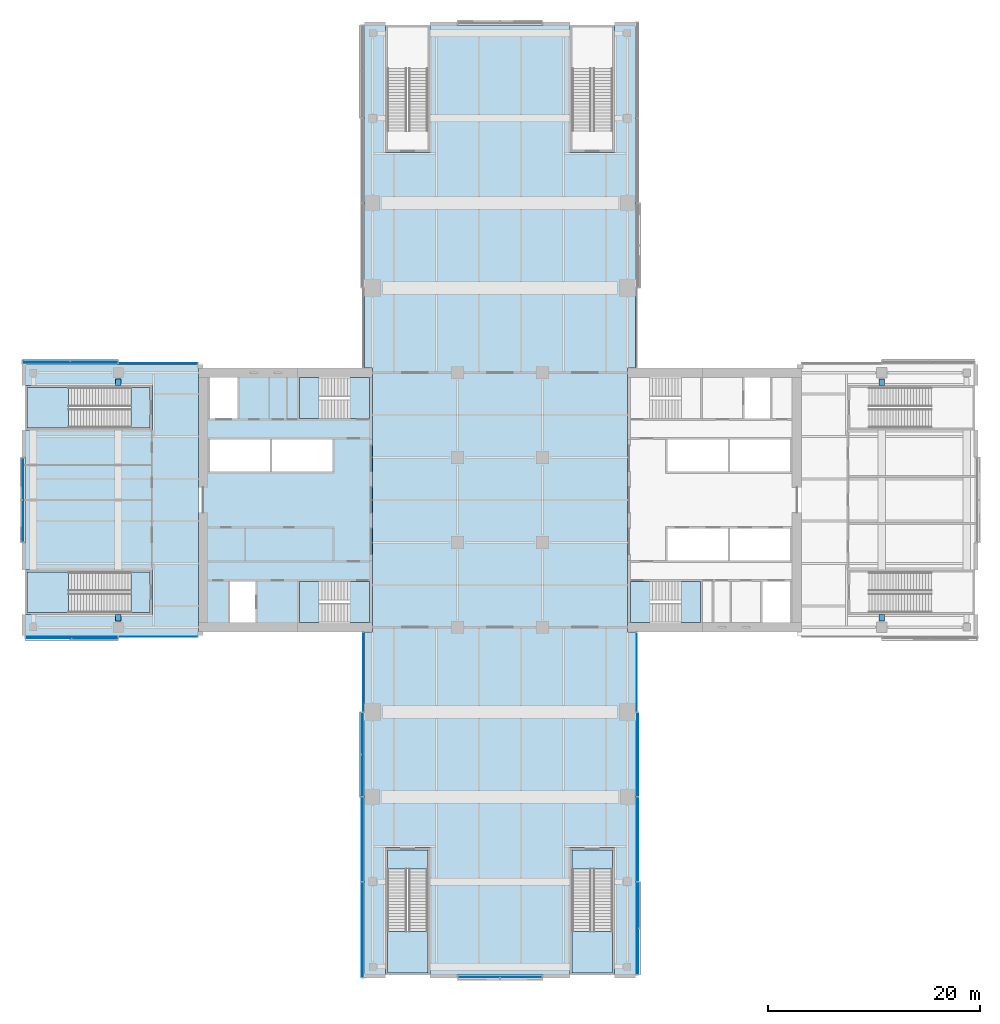
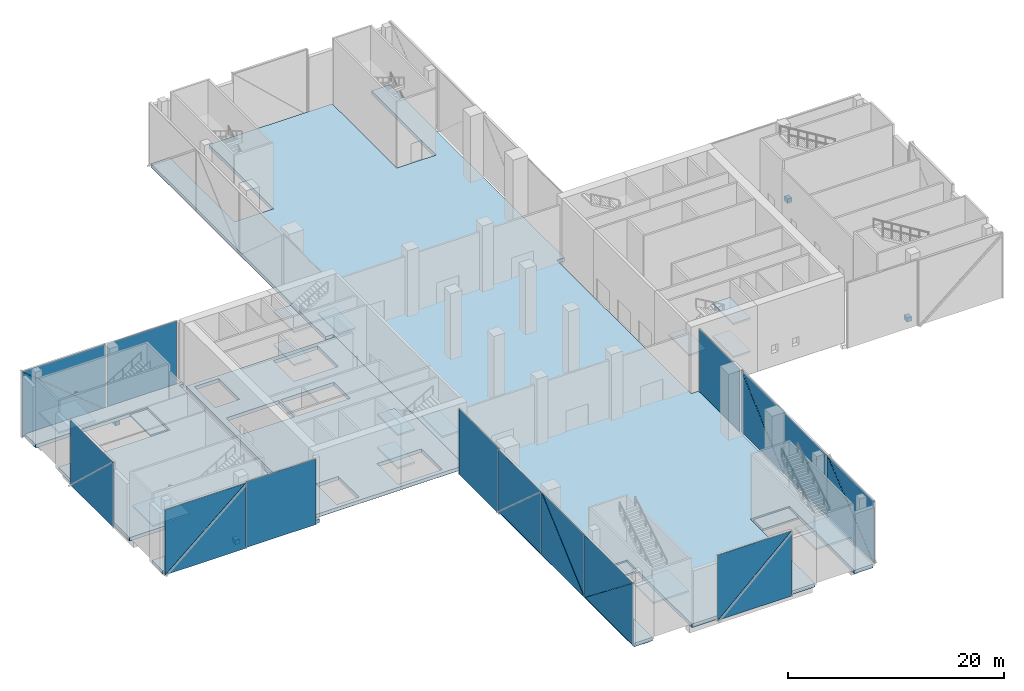
# One storey, part 12 of 25: 24 plates, 20 slabs, 4 beams, 17 elements without a shape of their own.
"""IFC4 building model written with IfcOpenShell, lengths in metres."""

from ifc_helpers import new_model, si_unit, direction, frame, origin, origin_2d, place, context, subcontext, project, spatial, polyline, rectangle, outline, extrude, material, layer, layer_set, material_profile, profile_set, type_object, element, aggregate, save


model = new_model("IFC4")

# Units and contexts
model_context = context("Model", 3, precision=1e-05, world=origin(), true_north=direction((0.0, 1.0)))
body_context = subcontext(model_context, "Body", "Model", "MODEL_VIEW")
ifc_project = project(units=[si_unit("LENGTHUNIT", "METRE"), si_unit("AREAUNIT", "SQUARE_METRE"), si_unit("VOLUMEUNIT", "CUBIC_METRE"), si_unit("PLANEANGLEUNIT", "RADIAN"), si_unit("MASSUNIT", "GRAM", prefix="KILO")], contexts=[model_context])

# Site, building, storey
site_placement = place(None, origin())
site = spatial("IfcSite", under=ifc_project, at=site_placement, CompositionType="ELEMENT")
building_placement = place(site_placement, origin())
building = spatial("IfcBuilding", under=site, at=building_placement, Name="Crosswind Convention Tower", CompositionType="ELEMENT")
storey_placement = place(building_placement, frame((0.0, 0.0, 10.0)))
storey = spatial("IfcBuildingStorey", under=building, at=storey_placement, Name="L01", CompositionType="ELEMENT", Elevation=10.0)

# Beams
ifc_material_1 = material(Name="Concrete C60/75", Category="concrete")
ifc_material_profile = material_profile(ifc_material_1, rectangle(XDim=0.5, YDim=0.5, at=origin_2d()), Name="RC 500X500")
ifc_profile_set = profile_set([ifc_material_profile], Name="Concrete C60/75")
beam_type = type_object("IfcBeamType", Name="Slab edge tie beam RC 500X500", PredefinedType="BEAM", material=ifc_profile_set)
for number, where, z_axis, x_axis, name in (
    (1, (89.0, 88.60009765625, -0.64990234375), (0.0, 1.0, 0.0), (-1.0, 0.0, 0.0), "B42 L01 slab edge tie beam 3"),
    (2, (89.0, 110.800048828125, -0.64990234375), (0.0, 1.0, 0.0), (-1.0, 0.0, 0.0), "B42 L01 slab edge tie beam 4"),
    (3, (161.0, 88.60009765625, -0.64990234375), (0.0, 1.0, 0.0), (-1.0, 0.0, 0.0), "B42 L01 slab edge tie beam 13"),
    (4, (161.0, 110.800048828125, -0.64990234375), (0.0, 1.0, 0.0), (-1.0, 0.0, 0.0), "B42 L01 slab edge tie beam 14"),
):
    element("IfcBeam", number, at=place(storey_placement, frame(where, z_axis=z_axis, x_axis=x_axis)), inside=storey, type_object=beam_type, Name=name, PredefinedType="BEAM", context=body_context, shape_type="SweptSolid", body=[
        extrude(rectangle(XDim=0.5, YDim=0.5, at=origin_2d()), origin(), (0.0, 0.0, 1.0), 0.599853515625),
    ])

# Slabs
ifc_material_2 = material(Name="Concrete C40/50", Category="concrete")
ifc_layer_1 = layer(ifc_material_2, 0.39990234375)
ifc_layer_set_1 = layer_set([ifc_layer_1], Name="Concrete C40/50")
slab_type_1 = type_object("IfcSlabType", Name="Composite floor slab 400", PredefinedType="FLOOR", material=ifc_layer_set_1)
slab_1_placement = place(storey_placement, frame((0.0, 0.0, -0.39990234375)))
element("IfcSlab", 5, at=slab_1_placement, inside=storey, type_object=slab_type_1, Name="Floor slab L01 part 1", PredefinedType="FLOOR", context=body_context, shape_type="SweptSolid", body=[
    extrude(outline(polyline([(97.0, 112.449951171875), (96.550048828125, 112.449951171875), (96.550048828125, 87.550048828125), (97.0, 87.550048828125), (97.0, 87.199951171875), (81.0, 87.199951171875), (80.199951171875, 87.199951171875), (80.199951171875, 88.0), (80.199951171875, 89.199951171875), (92.199951171875, 89.199951171875), (92.199951171875, 93.39990234375), (80.199951171875, 93.39990234375), (80.199951171875, 106.60009765625), (92.199951171875, 106.60009765625), (92.199951171875, 110.800048828125), (80.199951171875, 110.800048828125), (80.199951171875, 112.0), (80.199951171875, 112.800048828125), (81.0, 112.800048828125), (97.0, 112.800048828125), (97.0, 112.449951171875)])), origin(), (0.0, 0.0, 1.0), 0.39990234375),
])
slab_2_placement = place(storey_placement, frame((0.0, 0.0, -0.39990234375)))
element("IfcSlab", 6, at=slab_2_placement, inside=storey, type_object=slab_type_1, Name="Floor slab L01 part 2", PredefinedType="FLOOR", context=body_context, shape_type="SweptSolid", body=[
    extrude(outline(polyline([(114.199951171875, 132.800048828125), (118.39990234375, 132.800048828125), (118.39990234375, 144.800048828125), (131.60009765625, 144.800048828125), (131.60009765625, 132.800048828125), (135.800048828125, 132.800048828125), (135.800048828125, 144.800048828125), (137.0, 144.800048828125), (137.800048828125, 144.800048828125), (137.800048828125, 144.0), (137.800048828125, 112.449951171875), (137.0, 112.449951171875), (137.0, 87.550048828125), (137.800048828125, 87.550048828125), (137.800048828125, 56.0), (137.800048828125, 55.199951171875), (137.0, 55.199951171875), (135.800048828125, 55.199951171875), (135.800048828125, 67.199951171875), (131.60009765625, 67.199951171875), (131.60009765625, 55.199951171875), (118.39990234375, 55.199951171875), (118.39990234375, 67.199951171875), (114.199951171875, 67.199951171875), (114.199951171875, 55.199951171875), (113.0, 55.199951171875), (112.199951171875, 55.199951171875), (112.199951171875, 56.0), (112.199951171875, 87.550048828125), (113.0, 87.550048828125), (113.0, 112.449951171875), (112.199951171875, 112.449951171875), (112.199951171875, 144.0), (112.199951171875, 144.800048828125), (113.0, 144.800048828125), (114.199951171875, 144.800048828125), (114.199951171875, 132.800048828125)])), origin(), (0.0, 0.0, 1.0), 0.39990234375),
])
ifc_layer_2 = layer(ifc_material_2, 0.39990234375)
ifc_layer_set_2 = layer_set([ifc_layer_2], Name="Concrete C40/50")
slab_type_2 = type_object("IfcSlabType", Name="Concrete core floor slab 400", PredefinedType="FLOOR", material=ifc_layer_set_2)
slab_3_placement = place(storey_placement, frame((0.0, 0.0, -0.39990234375)))
element("IfcSlab", 7, at=slab_3_placement, inside=storey, type_object=slab_type_2, Name="Core floor slab W L01", PredefinedType="FLOOR", context=body_context, shape_type="SweptSolid", body=[
    extrude(outline(polyline([(97.0, 88.0), (113.0, 88.0), (113.0, 112.0), (97.0, 112.0), (97.0, 88.0)]), holes=[polyline([(109.199951171875, 102.699951171875), (109.199951171875, 105.699951171875), (103.5, 105.699951171875), (103.5, 102.699951171875), (109.199951171875, 102.699951171875)]), polyline([(103.300048828125, 102.699951171875), (103.300048828125, 105.699951171875), (97.64990234375, 105.699951171875), (97.64990234375, 102.699951171875), (103.300048828125, 102.699951171875)]), polyline([(101.949951171875, 88.449951171875), (101.949951171875, 92.300048828125), (99.550048828125, 92.300048828125), (99.550048828125, 88.449951171875), (101.949951171875, 88.449951171875)]), polyline([(100.25, 107.699951171875), (100.25, 111.550048828125), (97.64990234375, 111.550048828125), (97.64990234375, 107.699951171875), (100.25, 107.699951171875)]), polyline([(110.85009765625, 88.449951171875), (110.85009765625, 92.300048828125), (106.10009765625, 92.300048828125), (106.10009765625, 88.449951171875), (110.85009765625, 88.449951171875)]), polyline([(110.85009765625, 107.699951171875), (110.85009765625, 111.550048828125), (106.10009765625, 111.550048828125), (106.10009765625, 107.699951171875), (110.85009765625, 107.699951171875)])]), origin(), (0.0, 0.0, 1.0), 0.39990234375),
])

# Stair, slabs
stair_type_1 = type_object("IfcStairType", Name="PODIUM EXIT STAIR 7500 RISE", PredefinedType="HALF_TURN_STAIR", material=ifc_material_2)
stair_1_placement = place(storey_placement, origin())
stair_1 = element("IfcStair", 8, at=stair_1_placement, inside=storey, type_object=stair_type_1, Name="Exit stair S1 L01", ObjectType="ST11", PredefinedType="HALF_TURN_STAIR")
ifc_layer_3 = layer(ifc_material_2, 0.199951171875)
ifc_layer_set_3 = layer_set([ifc_layer_3], Name="Concrete C40/50")
slab_type_3 = type_object("IfcSlabType", Name="PODIUM STAIR LANDING 200 FOR 22 RISERS", PredefinedType="LANDING", material=ifc_layer_set_3)
slab_4_placement = place(storey_placement, frame((0.0, 0.0, 3.550048828125)))
slab_4 = element("IfcSlab", 9, at=slab_4_placement, type_object=slab_type_3, Name="ST11 landing 1", PredefinedType="LANDING", context=body_context, shape_type="SweptSolid", body=[
    extrude(outline(polyline([(114.39990234375, 59.320068359375), (114.39990234375, 55.39990234375), (118.199951171875, 55.39990234375), (118.199951171875, 59.320068359375), (114.39990234375, 59.320068359375)])), origin(), (0.0, 0.0, 1.0), 0.199951171875),
])
slab_5_placement = place(storey_placement, frame((0.0, 0.0, -0.199951171875)))
slab_5 = element("IfcSlab", 10, at=slab_5_placement, type_object=slab_type_3, Name="ST11 landing 2", PredefinedType="LANDING", context=body_context, shape_type="SweptSolid", body=[
    extrude(outline(polyline([(114.39990234375, 67.0), (114.39990234375, 65.199951171875), (118.199951171875, 65.199951171875), (118.199951171875, 67.0), (114.39990234375, 67.0)])), origin(), (0.0, 0.0, 1.0), 0.199951171875),
])
aggregate(stair_1, [slab_4, slab_5])

stair_2_placement = place(storey_placement, origin())
stair_2 = element("IfcStair", 11, at=stair_2_placement, inside=storey, type_object=stair_type_1, Name="Exit stair S2 L01", ObjectType="ST11", PredefinedType="HALF_TURN_STAIR")
slab_6_placement = place(storey_placement, frame((0.0, 0.0, 3.550048828125)))
slab_6 = element("IfcSlab", 12, at=slab_6_placement, type_object=slab_type_3, Name="ST11 landing 1", PredefinedType="LANDING", context=body_context, shape_type="SweptSolid", body=[
    extrude(outline(polyline([(131.800048828125, 59.320068359375), (131.800048828125, 55.39990234375), (135.60009765625, 55.39990234375), (135.60009765625, 59.320068359375), (131.800048828125, 59.320068359375)])), origin(), (0.0, 0.0, 1.0), 0.199951171875),
])
slab_7_placement = place(storey_placement, frame((0.0, 0.0, -0.199951171875)))
slab_7 = element("IfcSlab", 13, at=slab_7_placement, type_object=slab_type_3, Name="ST11 landing 2", PredefinedType="LANDING", context=body_context, shape_type="SweptSolid", body=[
    extrude(outline(polyline([(131.800048828125, 67.0), (131.800048828125, 65.199951171875), (135.60009765625, 65.199951171875), (135.60009765625, 67.0), (131.800048828125, 67.0)])), origin(), (0.0, 0.0, 1.0), 0.199951171875),
])
aggregate(stair_2, [slab_6, slab_7])

stair_3_placement = place(storey_placement, origin())
stair_3 = element("IfcStair", 14, at=stair_3_placement, inside=storey, type_object=stair_type_1, Name="Exit stair W1 L01", ObjectType="ST11", PredefinedType="HALF_TURN_STAIR")
slab_8_placement = place(storey_placement, frame((0.0, 0.0, 3.550048828125)))
slab_8 = element("IfcSlab", 15, at=slab_8_placement, type_object=slab_type_3, Name="ST11 landing 1", PredefinedType="LANDING", context=body_context, shape_type="SweptSolid", body=[
    extrude(outline(polyline([(84.320068359375, 93.199951171875), (80.39990234375, 93.199951171875), (80.39990234375, 89.39990234375), (84.320068359375, 89.39990234375), (84.320068359375, 93.199951171875)])), origin(), (0.0, 0.0, 1.0), 0.199951171875),
])
slab_9_placement = place(storey_placement, frame((0.0, 0.0, -0.199951171875)))
slab_9 = element("IfcSlab", 16, at=slab_9_placement, type_object=slab_type_3, Name="ST11 landing 2", PredefinedType="LANDING", context=body_context, shape_type="SweptSolid", body=[
    extrude(outline(polyline([(92.0, 93.199951171875), (90.199951171875, 93.199951171875), (90.199951171875, 89.39990234375), (92.0, 89.39990234375), (92.0, 93.199951171875)])), origin(), (0.0, 0.0, 1.0), 0.199951171875),
])
aggregate(stair_3, [slab_8, slab_9])

stair_4_placement = place(storey_placement, origin())
stair_4 = element("IfcStair", 17, at=stair_4_placement, inside=storey, type_object=stair_type_1, Name="Exit stair W2 L01", ObjectType="ST11", PredefinedType="HALF_TURN_STAIR")
slab_10_placement = place(storey_placement, frame((0.0, 0.0, 3.550048828125)))
slab_10 = element("IfcSlab", 18, at=slab_10_placement, type_object=slab_type_3, Name="ST11 landing 1", PredefinedType="LANDING", context=body_context, shape_type="SweptSolid", body=[
    extrude(outline(polyline([(84.320068359375, 110.60009765625), (80.39990234375, 110.60009765625), (80.39990234375, 106.800048828125), (84.320068359375, 106.800048828125), (84.320068359375, 110.60009765625)])), origin(), (0.0, 0.0, 1.0), 0.199951171875),
])
slab_11_placement = place(storey_placement, frame((0.0, 0.0, -0.199951171875)))
slab_11 = element("IfcSlab", 19, at=slab_11_placement, type_object=slab_type_3, Name="ST11 landing 2", PredefinedType="LANDING", context=body_context, shape_type="SweptSolid", body=[
    extrude(outline(polyline([(92.0, 110.60009765625), (90.199951171875, 110.60009765625), (90.199951171875, 106.800048828125), (92.0, 106.800048828125), (92.0, 110.60009765625)])), origin(), (0.0, 0.0, 1.0), 0.199951171875),
])
aggregate(stair_4, [slab_10, slab_11])

stair_type_2 = type_object("IfcStairType", Name="Exit stair 1800 wide, 4 flights of 11 risers", PredefinedType="HALF_TURN_STAIR", material=ifc_material_2)
stair_5_placement = place(storey_placement, origin())
stair_5 = element("IfcStair", 20, at=stair_5_placement, inside=storey, type_object=stair_type_2, Name="Exit stair ST2 L01", ObjectType="ST6", PredefinedType="HALF_TURN_STAIR")
ifc_layer_4 = layer(ifc_material_2, 0.199951171875)
ifc_layer_set_4 = layer_set([ifc_layer_4], Name="Concrete C40/50")
slab_type_4 = type_object("IfcSlabType", Name="Stair landing 200", PredefinedType="LANDING", material=ifc_layer_set_4)
slab_12_placement = place(storey_placement, frame((0.0, 0.0, 1.675048828125)))
slab_12 = element("IfcSlab", 21, at=slab_12_placement, type_object=slab_type_4, Name="ST2 landing 1", PredefinedType="LANDING", context=body_context, shape_type="SweptSolid", body=[
    extrude(outline(polyline([(143.89990234375, 88.449951171875), (143.89990234375, 92.300048828125), (142.050048828125, 92.300048828125), (142.050048828125, 88.449951171875), (143.89990234375, 88.449951171875)])), origin(), (0.0, 0.0, 1.0), 0.199951171875),
])
slab_13_placement = place(storey_placement, frame((0.0, 0.0, 3.550048828125)))
slab_13 = element("IfcSlab", 22, at=slab_13_placement, type_object=slab_type_4, Name="ST2 landing 2", PredefinedType="LANDING", context=body_context, shape_type="SweptSolid", body=[
    extrude(outline(polyline([(139.14990234375, 88.449951171875), (139.14990234375, 92.300048828125), (137.300048828125, 92.300048828125), (137.300048828125, 88.449951171875), (139.14990234375, 88.449951171875)])), origin(), (0.0, 0.0, 1.0), 0.199951171875),
])
slab_14_placement = place(storey_placement, frame((0.0, 0.0, 5.425048828125)))
slab_14 = element("IfcSlab", 23, at=slab_14_placement, type_object=slab_type_4, Name="ST2 landing 3", PredefinedType="LANDING", context=body_context, shape_type="SweptSolid", body=[
    extrude(outline(polyline([(143.89990234375, 88.449951171875), (143.89990234375, 92.300048828125), (142.050048828125, 92.300048828125), (142.050048828125, 88.449951171875), (143.89990234375, 88.449951171875)])), origin(), (0.0, 0.0, 1.0), 0.199951171875),
])
aggregate(stair_5, [slab_12, slab_13, slab_14])

stair_6_placement = place(storey_placement, origin())
stair_6 = element("IfcStair", 24, at=stair_6_placement, inside=storey, type_object=stair_type_2, Name="Exit stair ST3 L01", ObjectType="ST6", PredefinedType="HALF_TURN_STAIR")
slab_15_placement = place(storey_placement, frame((0.0, 0.0, 1.675048828125)))
slab_15 = element("IfcSlab", 25, at=slab_15_placement, type_object=slab_type_4, Name="ST3 landing 1", PredefinedType="LANDING", context=body_context, shape_type="SweptSolid", body=[
    extrude(outline(polyline([(107.949951171875, 88.449951171875), (107.949951171875, 92.300048828125), (106.10009765625, 92.300048828125), (106.10009765625, 88.449951171875), (107.949951171875, 88.449951171875)])), origin(), (0.0, 0.0, 1.0), 0.199951171875),
])
slab_16_placement = place(storey_placement, frame((0.0, 0.0, 3.550048828125)))
slab_16 = element("IfcSlab", 26, at=slab_16_placement, type_object=slab_type_4, Name="ST3 landing 2", PredefinedType="LANDING", context=body_context, shape_type="SweptSolid", body=[
    extrude(outline(polyline([(112.699951171875, 88.449951171875), (112.699951171875, 92.300048828125), (110.85009765625, 92.300048828125), (110.85009765625, 88.449951171875), (112.699951171875, 88.449951171875)])), origin(), (0.0, 0.0, 1.0), 0.199951171875),
])
slab_17_placement = place(storey_placement, frame((0.0, 0.0, 5.425048828125)))
slab_17 = element("IfcSlab", 27, at=slab_17_placement, type_object=slab_type_4, Name="ST3 landing 3", PredefinedType="LANDING", context=body_context, shape_type="SweptSolid", body=[
    extrude(outline(polyline([(107.949951171875, 88.449951171875), (107.949951171875, 92.300048828125), (106.10009765625, 92.300048828125), (106.10009765625, 88.449951171875), (107.949951171875, 88.449951171875)])), origin(), (0.0, 0.0, 1.0), 0.199951171875),
])
aggregate(stair_6, [slab_15, slab_16, slab_17])

stair_7_placement = place(storey_placement, origin())
stair_7 = element("IfcStair", 28, at=stair_7_placement, inside=storey, type_object=stair_type_2, Name="Exit stair ST4 L01", ObjectType="ST6", PredefinedType="HALF_TURN_STAIR")
slab_18_placement = place(storey_placement, frame((0.0, 0.0, 1.675048828125)))
slab_18 = element("IfcSlab", 29, at=slab_18_placement, type_object=slab_type_4, Name="ST4 landing 1", PredefinedType="LANDING", context=body_context, shape_type="SweptSolid", body=[
    extrude(outline(polyline([(107.949951171875, 107.699951171875), (107.949951171875, 111.550048828125), (106.10009765625, 111.550048828125), (106.10009765625, 107.699951171875), (107.949951171875, 107.699951171875)])), origin(), (0.0, 0.0, 1.0), 0.199951171875),
])
slab_19_placement = place(storey_placement, frame((0.0, 0.0, 3.550048828125)))
slab_19 = element("IfcSlab", 30, at=slab_19_placement, type_object=slab_type_4, Name="ST4 landing 2", PredefinedType="LANDING", context=body_context, shape_type="SweptSolid", body=[
    extrude(outline(polyline([(112.699951171875, 107.699951171875), (112.699951171875, 111.550048828125), (110.85009765625, 111.550048828125), (110.85009765625, 107.699951171875), (112.699951171875, 107.699951171875)])), origin(), (0.0, 0.0, 1.0), 0.199951171875),
])
slab_20_placement = place(storey_placement, frame((0.0, 0.0, 5.425048828125)))
slab_20 = element("IfcSlab", 31, at=slab_20_placement, type_object=slab_type_4, Name="ST4 landing 3", PredefinedType="LANDING", context=body_context, shape_type="SweptSolid", body=[
    extrude(outline(polyline([(107.949951171875, 107.699951171875), (107.949951171875, 111.550048828125), (106.10009765625, 111.550048828125), (106.10009765625, 107.699951171875), (107.949951171875, 107.699951171875)])), origin(), (0.0, 0.0, 1.0), 0.199951171875),
])
aggregate(stair_7, [slab_18, slab_19, slab_20])

# Curtain wall, plate
ifc_material_3 = material(Name="Aluminium unitised curtain wall", Category="aluminium")
curtain_wall_type_1 = type_object("IfcCurtainWallType", Name="CORE END SLOT WALL 160", PredefinedType="USERDEFINED", material=ifc_material_3)
curtain_wall_1_placement = place(storey_placement, origin())
curtain_wall_1 = element("IfcCurtainWall", 32, at=curtain_wall_1_placement, inside=storey, type_object=curtain_wall_type_1, Name="CW6 L01 W-N.2-1 slot", ObjectType="UNITISED", PredefinedType="USERDEFINED")
ifc_material_4 = material(Name="Laminated insulating glass unit", Category="glass")
ifc_layer_5 = layer(ifc_material_4, 0.02587890625)
ifc_layer_set_5 = layer_set([ifc_layer_5], Name="TRIANGULAR GLASS PANEL 26")
plate_type_1 = type_object("IfcPlateType", Name="TRIANGULAR GLASS PANEL 26", PredefinedType="CURTAIN_PANEL", material=ifc_layer_set_5)
plate_1_placement = place(storey_placement, frame((96.5, 112.907470703125, -0.39990234375), z_axis=(0.0, 0.999999922678, 0.000393249191), x_axis=(-1.0, 0.0, 0.0)))
plate_1 = element("IfcPlate", 33, at=plate_1_placement, type_object=plate_type_1, Name="CW6 panel 1.1", PredefinedType="CURTAIN_PANEL", context=body_context, shape_type="SweptSolid", body=[
    extrude(outline(polyline([(0.0, 0.0), (7.449951171875, 0.0), (7.449951171875, 7.449951747923642), (0.0, 7.449951747923642), (0.0, 0.0)])), origin(), (0.0, 0.0, -1.0), 0.02587890625),
])
aggregate(curtain_wall_1, [plate_1])

curtain_wall_2_placement = place(storey_placement, origin())
curtain_wall_2 = element("IfcCurtainWall", 34, at=curtain_wall_2_placement, inside=storey, type_object=curtain_wall_type_1, Name="CW6 L01 W-S.1-2 slot", ObjectType="UNITISED", PredefinedType="USERDEFINED")
plate_2_placement = place(storey_placement, frame((89.050048828125, 87.092529296875, -0.39990234375), z_axis=(0.0, -0.999999922678, 0.000393249191), x_axis=(1.0, 0.0, 0.0)))
plate_2 = element("IfcPlate", 35, at=plate_2_placement, type_object=plate_type_1, Name="CW6 panel 1.1", PredefinedType="CURTAIN_PANEL", context=body_context, shape_type="SweptSolid", body=[
    extrude(outline(polyline([(0.0, 0.0), (7.449951171875, 0.0), (7.449951171875, 7.449951747923642), (0.0, 7.449951747923642), (0.0, 0.0)])), origin(), (0.0, 0.0, -1.0), 0.02587890625),
])
aggregate(curtain_wall_2, [plate_2])

curtain_wall_3_placement = place(storey_placement, origin())
curtain_wall_3 = element("IfcCurtainWall", 36, at=curtain_wall_3_placement, inside=storey, type_object=curtain_wall_type_1, Name="CW6 L01 S-W.1-1 slot", ObjectType="UNITISED", PredefinedType="USERDEFINED")
plate_3_placement = place(storey_placement, frame((112.092529296875, 87.5, -0.39990234375), z_axis=(-0.999999922678, 0.0, 0.000393249191), x_axis=(0.0, -1.0, 0.0)))
plate_3 = element("IfcPlate", 37, at=plate_3_placement, type_object=plate_type_1, Name="CW6 panel 1.1", PredefinedType="CURTAIN_PANEL", context=body_context, shape_type="SweptSolid", body=[
    extrude(outline(polyline([(0.0, 0.0), (7.449951171875, 0.0), (7.449951171875, 7.449951747923642), (0.0, 7.449951747923642), (0.0, 0.0)])), origin(), (0.0, 0.0, -1.0), 0.02587890625),
])
aggregate(curtain_wall_3, [plate_3])

curtain_wall_4_placement = place(storey_placement, origin())
curtain_wall_4 = element("IfcCurtainWall", 38, at=curtain_wall_4_placement, inside=storey, type_object=curtain_wall_type_1, Name="CW6 L01 S-E.1-4 slot", ObjectType="UNITISED", PredefinedType="USERDEFINED")
plate_4_placement = place(storey_placement, frame((137.907470703125, 80.050048828125, -0.39990234375), z_axis=(0.999999922678, 0.0, 0.000393249191), x_axis=(0.0, 1.0, 0.0)))
plate_4 = element("IfcPlate", 39, at=plate_4_placement, type_object=plate_type_1, Name="CW6 panel 1.1", PredefinedType="CURTAIN_PANEL", context=body_context, shape_type="SweptSolid", body=[
    extrude(outline(polyline([(0.0, 0.0), (7.449951171875, 0.0), (7.449951171875, 7.449951747923642), (0.0, 7.449951747923642), (0.0, 0.0)])), origin(), (0.0, 0.0, -1.0), 0.02587890625),
])
aggregate(curtain_wall_4, [plate_4])

# Curtain wall, plates
curtain_wall_type_2 = type_object("IfcCurtainWallType", Name="PODIUM UNITISED WALL 300", PredefinedType="USERDEFINED", material=ifc_material_3)
curtain_wall_5_placement = place(storey_placement, origin())
curtain_wall_5 = element("IfcCurtainWall", 40, at=curtain_wall_5_placement, inside=storey, type_object=curtain_wall_type_2, Name="CW1 L01 W-N 2", ObjectType="UNITISED", PredefinedType="USERDEFINED")
ifc_layer_6 = layer(ifc_material_4, 0.035888671875)
ifc_layer_set_6 = layer_set([ifc_layer_6], Name="TRIANGULAR GLASS PANEL 36")
plate_type_2 = type_object("IfcPlateType", Name="TRIANGULAR GLASS PANEL 36", PredefinedType="CURTAIN_PANEL", material=ifc_layer_set_6)
plate_5_placement = place(storey_placement, frame((79.9951171875, 112.987548828125, -0.39990234375), z_axis=(0.0, 0.999999921778, 0.000395530474), x_axis=(0.0, -0.000395530474, 0.999999921778)))
plate_5 = element("IfcPlate", 41, at=plate_5_placement, type_object=plate_type_2, Name="CW1 panel 1.1", PredefinedType="CURTAIN_PANEL", context=body_context, shape_type="SweptSolid", body=[
    extrude(outline(polyline([(0.0, 0.0), (7.406983001265367, 0.0), (0.0, 8.94921875), (0.0, 0.0)])), origin(), (0.0, 0.0, -1.0), 0.035888671875),
])
plate_6_placement = place(storey_placement, frame((88.9599609375, 113.0224609375, 7.02001953125), z_axis=(0.0, 0.999999921778, 0.000395530474), x_axis=(0.0, 0.000395530474, -0.999999921778)))
plate_6 = element("IfcPlate", 42, at=plate_6_placement, type_object=plate_type_2, Name="CW1 panel 1.2", PredefinedType="CURTAIN_PANEL", context=body_context, shape_type="SweptSolid", body=[
    extrude(outline(polyline([(0.0, 0.0), (7.406983001265367, 0.0), (0.0, 8.94921875), (0.0, 0.0)])), origin(), (0.0, 0.0, -1.0), 0.035888671875),
])
aggregate(curtain_wall_5, [plate_5, plate_6])

curtain_wall_6_placement = place(storey_placement, origin())
curtain_wall_6 = element("IfcCurtainWall", 43, at=curtain_wall_6_placement, inside=storey, type_object=curtain_wall_type_2, Name="CW1 L01 W-TIP 1", ObjectType="UNITISED", PredefinedType="USERDEFINED")
plate_7_placement = place(storey_placement, frame((80.012451171875, 96.0400390625, -0.39990234375), z_axis=(-0.999999921762, 0.0, 0.000395569589), x_axis=(0.000395569589, 0.0, 0.999999921762)))
plate_7 = element("IfcPlate", 44, at=plate_7_placement, type_object=plate_type_2, Name="CW1 panel 1.1", PredefinedType="CURTAIN_PANEL", context=body_context, shape_type="SweptSolid", body=[
    extrude(outline(polyline([(0.0, 0.0), (7.406250579447663, 0.0), (0.0, 7.9052734375), (0.0, 0.0)])), origin(), (0.0, 0.0, -1.0), 0.035888671875),
])
plate_8_placement = place(storey_placement, frame((79.9775390625, 103.9599609375, 7.02001953125), z_axis=(-0.999999921762, 0.0, 0.000395569589), x_axis=(-0.000395569589, 0.0, -0.999999921762)))
plate_8 = element("IfcPlate", 45, at=plate_8_placement, type_object=plate_type_2, Name="CW1 panel 1.2", PredefinedType="CURTAIN_PANEL", context=body_context, shape_type="SweptSolid", body=[
    extrude(outline(polyline([(0.0, 0.0), (7.406250579447663, 0.0), (0.0, 7.9052734375), (0.0, 0.0)])), origin(), (0.0, 0.0, -1.0), 0.035888671875),
])
aggregate(curtain_wall_6, [plate_7, plate_8])

curtain_wall_7_placement = place(storey_placement, origin())
curtain_wall_7 = element("IfcCurtainWall", 46, at=curtain_wall_7_placement, inside=storey, type_object=curtain_wall_type_2, Name="CW1 L01 W-S 1", ObjectType="UNITISED", PredefinedType="USERDEFINED")
plate_9_placement = place(storey_placement, frame((88.9599609375, 87.012451171875, -0.39990234375), z_axis=(0.0, -0.999999921773, 0.000395543512), x_axis=(0.0, 0.000395543512, 0.999999921773)))
plate_9 = element("IfcPlate", 47, at=plate_9_placement, type_object=plate_type_2, Name="CW1 panel 1.1", PredefinedType="CURTAIN_PANEL", context=body_context, shape_type="SweptSolid", body=[
    extrude(outline(polyline([(0.0, 0.0), (7.406738860659464, 0.0), (0.0, 8.66455078125), (0.0, 0.0)])), origin(), (0.0, 0.0, -1.0), 0.035888671875),
])
plate_10_placement = place(storey_placement, frame((80.280029296875, 86.9775390625, 7.02001953125), z_axis=(0.0, -0.999999921778, 0.000395530474), x_axis=(0.0, -0.000395530474, -0.999999921778)))
plate_10 = element("IfcPlate", 48, at=plate_10_placement, type_object=plate_type_2, Name="CW1 panel 1.2", PredefinedType="CURTAIN_PANEL", context=body_context, shape_type="SweptSolid", body=[
    extrude(outline(polyline([(0.0, 0.0), (7.406983001265367, 0.0), (0.0, 8.664550781250002), (0.0, 0.0)])), origin(), (0.0, 0.0, -1.0), 0.035888671875),
])
aggregate(curtain_wall_7, [plate_9, plate_10])

curtain_wall_8_placement = place(storey_placement, origin())
curtain_wall_8 = element("IfcCurtainWall", 49, at=curtain_wall_8_placement, inside=storey, type_object=curtain_wall_type_2, Name="CW1 L01 S-W 1", ObjectType="UNITISED", PredefinedType="USERDEFINED")
plate_11_placement = place(storey_placement, frame((112.0126953125, 72.0400390625, -0.044921875), z_axis=(-0.999999927478, 0.0, 0.000380846837), x_axis=(0.000380846837, 0.0, 0.999999927478)))
plate_11 = element("IfcPlate", 50, at=plate_11_placement, type_object=plate_type_2, Name="CW1 panel 1.1", PredefinedType="CURTAIN_PANEL", context=body_context, shape_type="SweptSolid", body=[
    extrude(outline(polyline([(0.0, 0.0), (7.051514183266036, 0.0), (0.0, 7.905029296874999), (0.0, 0.0)])), origin(), (0.0, 0.0, -1.0), 0.035888671875),
])
plate_12_placement = place(storey_placement, frame((111.977294921875, 79.9599609375, 7.02001953125), z_axis=(-0.999999927478, 0.0, 0.000380846837), x_axis=(-0.000380846837, 0.0, -0.999999927478)))
plate_12 = element("IfcPlate", 51, at=plate_12_placement, type_object=plate_type_2, Name="CW1 panel 1.2", PredefinedType="CURTAIN_PANEL", context=body_context, shape_type="SweptSolid", body=[
    extrude(outline(polyline([(0.0, 0.0), (7.051514183266036, 0.0), (0.0, 7.905029296874999), (0.0, 0.0)])), origin(), (0.0, 0.0, -1.0), 0.035888671875),
])
plate_13_placement = place(storey_placement, frame((112.015380859375, 64.0400390625, 7.02001953125), z_axis=(-0.999999927478, 0.0, 0.000380846837), x_axis=(0.0, 1.0, 0.0)))
plate_13 = element("IfcPlate", 52, at=plate_13_placement, type_object=plate_type_2, Name="CW1 panel 2.1", PredefinedType="CURTAIN_PANEL", context=body_context, shape_type="SweptSolid", body=[
    extrude(outline(polyline([(0.0, 0.0), (7.905029296875, 0.0), (0.0, 7.051514183266035), (0.0, 0.0)])), origin(), (0.0, 0.0, -1.0), 0.035888671875),
])
plate_14_placement = place(storey_placement, frame((111.974609375, 71.9599609375, -0.044921875), z_axis=(-0.999999927478, 0.0, 0.000380846837), x_axis=(0.0, -1.0, 0.0)))
plate_14 = element("IfcPlate", 53, at=plate_14_placement, type_object=plate_type_2, Name="CW1 panel 2.2", PredefinedType="CURTAIN_PANEL", context=body_context, shape_type="SweptSolid", body=[
    extrude(outline(polyline([(0.0, 0.0), (7.905029296875, 0.0), (0.0, 7.051514183266035), (0.0, 0.0)])), origin(), (0.0, 0.0, -1.0), 0.035888671875),
])
plate_15_placement = place(storey_placement, frame((112.0126953125, 54.9951171875, -0.044921875), z_axis=(-0.999999927493, 0.0, 0.000380807284), x_axis=(0.000380807284, 0.0, 0.999999927493)))
plate_15 = element("IfcPlate", 54, at=plate_15_placement, type_object=plate_type_2, Name="CW1 panel 3.1", PredefinedType="CURTAIN_PANEL", context=body_context, shape_type="SweptSolid", body=[
    extrude(outline(polyline([(0.0, 0.0), (7.052246605087925, 0.0), (0.0, 8.94873046875), (0.0, 0.0)])), origin(), (0.0, 0.0, -1.0), 0.035888671875),
])
plate_16_placement = place(storey_placement, frame((111.977294921875, 63.9599609375, 7.02001953125), z_axis=(-0.999999927493, 0.0, 0.000380807284), x_axis=(-0.000380807284, 0.0, -0.999999927493)))
plate_16 = element("IfcPlate", 55, at=plate_16_placement, type_object=plate_type_2, Name="CW1 panel 3.2", PredefinedType="CURTAIN_PANEL", context=body_context, shape_type="SweptSolid", body=[
    extrude(outline(polyline([(0.0, 0.0), (7.052246605087925, 0.0), (0.0, 8.94873046875), (0.0, 0.0)])), origin(), (0.0, 0.0, -1.0), 0.035888671875),
])
aggregate(curtain_wall_8, [plate_11, plate_12, plate_13, plate_14, plate_15, plate_16])

curtain_wall_9_placement = place(storey_placement, origin())
curtain_wall_9 = element("IfcCurtainWall", 56, at=curtain_wall_9_placement, inside=storey, type_object=curtain_wall_type_2, Name="CW1 L01 S-TIP 1", ObjectType="UNITISED", PredefinedType="USERDEFINED")
plate_17_placement = place(storey_placement, frame((128.9599609375, 55.012451171875, -0.39990234375), z_axis=(0.0, -0.999999921762, 0.000395569589), x_axis=(0.0, 0.000395569589, 0.999999921762)))
plate_17 = element("IfcPlate", 57, at=plate_17_placement, type_object=plate_type_2, Name="CW1 panel 1.1", PredefinedType="CURTAIN_PANEL", context=body_context, shape_type="SweptSolid", body=[
    extrude(outline(polyline([(0.0, 0.0), (7.406250579447663, 0.0), (0.0, 7.9052734375), (0.0, 0.0)])), origin(), (0.0, 0.0, -1.0), 0.035888671875),
])
plate_18_placement = place(storey_placement, frame((121.0400390625, 54.9775390625, 7.02001953125), z_axis=(0.0, -0.999999921762, 0.000395569589), x_axis=(0.0, -0.000395569589, -0.999999921762)))
plate_18 = element("IfcPlate", 58, at=plate_18_placement, type_object=plate_type_2, Name="CW1 panel 1.2", PredefinedType="CURTAIN_PANEL", context=body_context, shape_type="SweptSolid", body=[
    extrude(outline(polyline([(0.0, 0.0), (7.406250579447663, 0.0), (0.0, 7.9052734375), (0.0, 0.0)])), origin(), (0.0, 0.0, -1.0), 0.035888671875),
])
aggregate(curtain_wall_9, [plate_17, plate_18])

curtain_wall_10_placement = place(storey_placement, origin())
curtain_wall_10 = element("IfcCurtainWall", 59, at=curtain_wall_10_placement, inside=storey, type_object=curtain_wall_type_2, Name="CW1 L01 S-E 1", ObjectType="UNITISED", PredefinedType="USERDEFINED")
plate_19_placement = place(storey_placement, frame((137.9873046875, 63.9599609375, -0.044921875), z_axis=(0.999999927488, 0.0, 0.000380820467), x_axis=(-0.000380820467, 0.0, 0.999999927488)))
plate_19 = element("IfcPlate", 60, at=plate_19_placement, type_object=plate_type_2, Name="CW1 panel 1.1", PredefinedType="CURTAIN_PANEL", context=body_context, shape_type="SweptSolid", body=[
    extrude(outline(polyline([(0.0, 0.0), (7.052002464480627, 0.0), (0.0, 8.664062500000002), (0.0, 0.0)])), origin(), (0.0, 0.0, -1.0), 0.035888671875),
])
plate_20_placement = place(storey_placement, frame((138.022705078125, 55.280029296875, 7.02001953125), z_axis=(0.999999927493, 0.0, 0.000380807284), x_axis=(0.000380807284, 0.0, -0.999999927493)))
plate_20 = element("IfcPlate", 61, at=plate_20_placement, type_object=plate_type_2, Name="CW1 panel 1.2", PredefinedType="CURTAIN_PANEL", context=body_context, shape_type="SweptSolid", body=[
    extrude(outline(polyline([(0.0, 0.0), (7.052246605087925, 0.0), (0.0, 8.664062499999998), (0.0, 0.0)])), origin(), (0.0, 0.0, -1.0), 0.035888671875),
])
plate_21_placement = place(storey_placement, frame((137.984619140625, 71.9599609375, 7.02001953125), z_axis=(0.999999927478, 0.0, 0.000380846837), x_axis=(0.0, -1.0, 0.0)))
plate_21 = element("IfcPlate", 62, at=plate_21_placement, type_object=plate_type_2, Name="CW1 panel 2.1", PredefinedType="CURTAIN_PANEL", context=body_context, shape_type="SweptSolid", body=[
    extrude(outline(polyline([(0.0, 0.0), (7.905029296875, 0.0), (0.0, 7.051514183266035), (0.0, 0.0)])), origin(), (0.0, 0.0, -1.0), 0.035888671875),
])
plate_22_placement = place(storey_placement, frame((138.025390625, 64.0400390625, -0.044921875), z_axis=(0.999999927478, 0.0, 0.000380846837), x_axis=(0.0, 1.0, 0.0)))
plate_22 = element("IfcPlate", 63, at=plate_22_placement, type_object=plate_type_2, Name="CW1 panel 2.2", PredefinedType="CURTAIN_PANEL", context=body_context, shape_type="SweptSolid", body=[
    extrude(outline(polyline([(0.0, 0.0), (7.905029296875, 0.0), (0.0, 7.051514183266035), (0.0, 0.0)])), origin(), (0.0, 0.0, -1.0), 0.035888671875),
])
plate_23_placement = place(storey_placement, frame((137.9873046875, 79.9599609375, -0.044921875), z_axis=(0.999999927478, 0.0, 0.000380846837), x_axis=(-0.000380846837, 0.0, 0.999999927478)))
plate_23 = element("IfcPlate", 64, at=plate_23_placement, type_object=plate_type_2, Name="CW1 panel 3.1", PredefinedType="CURTAIN_PANEL", context=body_context, shape_type="SweptSolid", body=[
    extrude(outline(polyline([(0.0, 0.0), (7.051514183266036, 0.0), (0.0, 7.905029296874999), (0.0, 0.0)])), origin(), (0.0, 0.0, -1.0), 0.035888671875),
])
plate_24_placement = place(storey_placement, frame((138.022705078125, 72.0400390625, 7.02001953125), z_axis=(0.999999927478, 0.0, 0.000380846837), x_axis=(0.000380846837, 0.0, -0.999999927478)))
plate_24 = element("IfcPlate", 65, at=plate_24_placement, type_object=plate_type_2, Name="CW1 panel 3.2", PredefinedType="CURTAIN_PANEL", context=body_context, shape_type="SweptSolid", body=[
    extrude(outline(polyline([(0.0, 0.0), (7.051514183266036, 0.0), (0.0, 7.905029296874999), (0.0, 0.0)])), origin(), (0.0, 0.0, -1.0), 0.035888671875),
])
aggregate(curtain_wall_10, [plate_19, plate_20, plate_21, plate_22, plate_23, plate_24])

save(model, "model.ifc")
